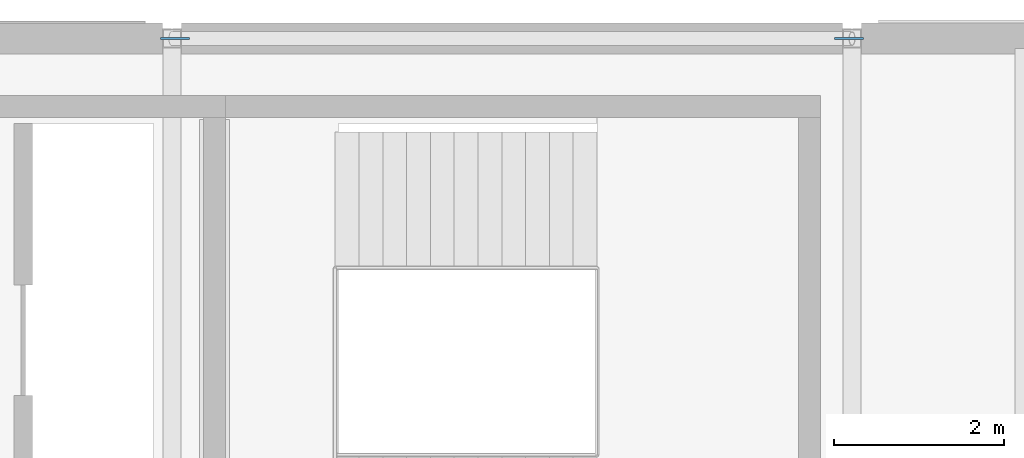
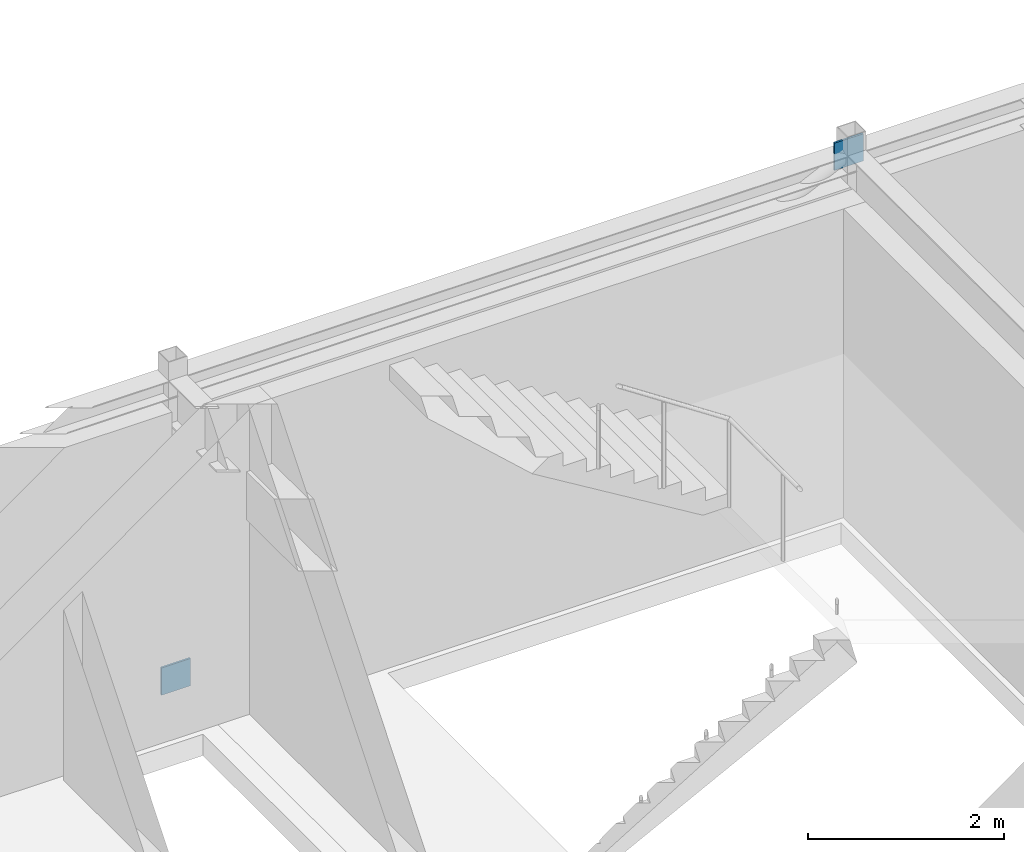
# One storey, part 102 of 114: 2 discrete accessories.
"""IFC4 building model written with IfcOpenShell, lengths in metres."""

from ifc_helpers import new_model, si_unit, direction, frame, origin, origin_2d, place, context, subcontext, project, spatial, rectangle, extrude, material, type_object, element, save


model = new_model("IFC4")

# Units and contexts
model_context = context("Model", 3, precision=1e-05, world=origin(), true_north=direction((0.0, 1.0)))
body_context = subcontext(model_context, "Body", "Model", "MODEL_VIEW")
ifc_project = project(units=[si_unit("LENGTHUNIT", "METRE"), si_unit("AREAUNIT", "SQUARE_METRE"), si_unit("VOLUMEUNIT", "CUBIC_METRE"), si_unit("PLANEANGLEUNIT", "RADIAN"), si_unit("MASSUNIT", "GRAM", prefix="KILO")], contexts=[model_context])

# Site, building, storey
site_placement = place(None, origin())
site = spatial("IfcSite", under=ifc_project, at=site_placement, CompositionType="ELEMENT")
building_placement = place(site_placement, origin())
building = spatial("IfcBuilding", under=site, at=building_placement, Name="Montecoro Central Library", CompositionType="ELEMENT")
storey_placement = place(building_placement, frame((0.0, 0.0, 13.260009765625)))
storey = spatial("IfcBuildingStorey", under=building, at=storey_placement, Name="L03", CompositionType="ELEMENT", Elevation=13.260009765625)

# Discrete accessories
ifc_material = material(Name="Steel S355", Category="steel")
discrete_accessory_type = type_object("IfcDiscreteAccessoryType", Name="GUSSET-PLT-01", PredefinedType="BRACKET", material=ifc_material)
for number, where, z_axis, x_axis, name in (
    (1, (149.035888671875, 119.0, -0.14306640625), (0.0, 0.0, 1.0), (1.0, 0.0, 0.0), "V5-L03-BRN1-GPA"),
    (2, (156.964111328125, 119.0, 3.6181640625), (0.0, 0.0, 1.0), (1.0, 0.0, 0.0), "V5-L03-BRN1-GPB"),
):
    element("IfcDiscreteAccessory", number, at=place(storey_placement, frame(where, z_axis=z_axis, x_axis=x_axis)), inside=storey, type_object=discrete_accessory_type, Name=name, PredefinedType="BRACKET", context=body_context, shape_type="SweptSolid", body=[
        extrude(rectangle(XDim=0.340087890625, YDim=0.02392578125, at=origin_2d()), origin(), (0.0, 0.0, 1.0), 0.340087890625),
    ])

save(model, "model.ifc")
